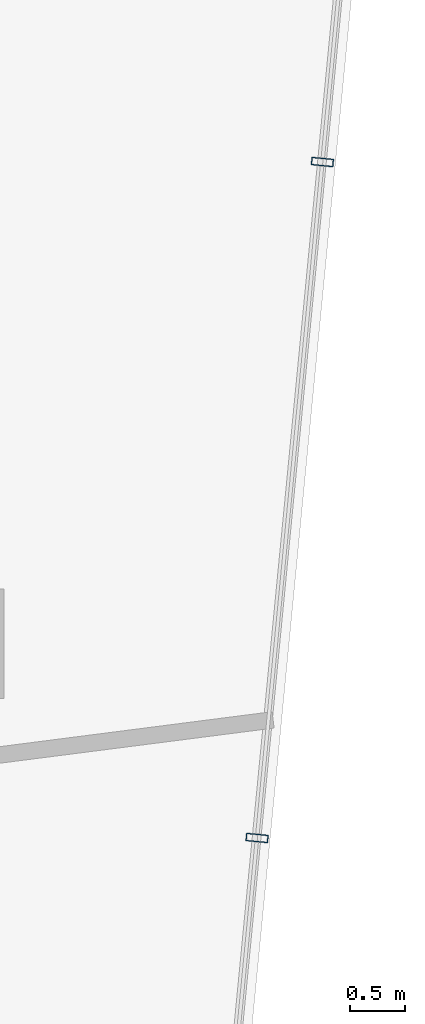
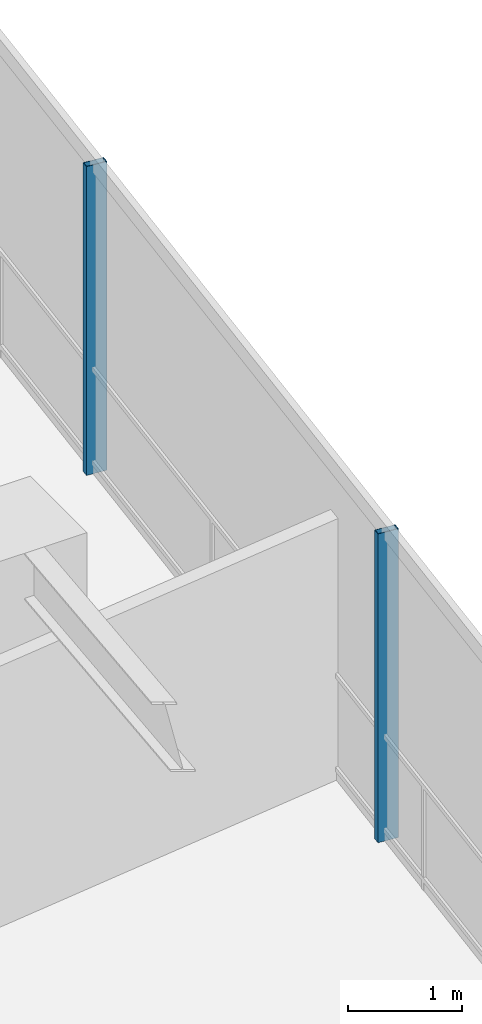
# One storey, part 11 of 21: 2 members, 1 element without a shape of its own.
"""IFC4 building model written with IfcOpenShell, lengths in metres."""

from ifc_helpers import new_model, si_unit, direction, frame, origin, origin_2d, place, context, subcontext, project, spatial, hollow_rectangle, extrude, material, layer, layer_set, material_profile, profile_set, type_object, element, aggregate, save


model = new_model("IFC4")

# Units and contexts
model_context = context("Model", 3, precision=1e-05, world=origin(), true_north=direction((0.0, 1.0)))
body_context = subcontext(model_context, "Body", "Model", "MODEL_VIEW")
ifc_project = project(units=[si_unit("LENGTHUNIT", "METRE"), si_unit("AREAUNIT", "SQUARE_METRE"), si_unit("VOLUMEUNIT", "CUBIC_METRE"), si_unit("PLANEANGLEUNIT", "RADIAN"), si_unit("MASSUNIT", "GRAM", prefix="KILO")], contexts=[model_context])

# Site, building, storey
site_placement = place(None, origin())
site = spatial("IfcSite", under=ifc_project, at=site_placement, CompositionType="ELEMENT")
building_placement = place(site_placement, origin())
building = spatial("IfcBuilding", under=site, at=building_placement, Name="Qarnah Convention Tower", CompositionType="ELEMENT")
storey_placement = place(building_placement, frame((0.0, 0.0, 158.10009765625)))
storey = spatial("IfcBuildingStorey", under=building, at=storey_placement, Name="L42", CompositionType="ELEMENT", Elevation=158.10009765625)

# Curtain wall, members
ifc_material_1 = material(Name="Tempered Low-E dark glass", Category="glass")
ifc_layer = layer(ifc_material_1, 0.172119140625)
ifc_layer_set = layer_set([ifc_layer], Name="Tempered Low-E dark glass")
curtain_wall_type = type_object("IfcCurtainWallType", Name="CWS-03", PredefinedType="NOTDEFINED", material=ifc_layer_set)
curtain_wall_placement = place(storey_placement, origin())
curtain_wall = element("IfcCurtainWall", 1, at=curtain_wall_placement, inside=storey, type_object=curtain_wall_type, Name="L42 unitised curtain wall CW-L42-F3", PredefinedType="NOTDEFINED")
ifc_material_2 = material(Name="Black anodised aluminium", Category="aluminium")
ifc_material_profile = material_profile(ifc_material_2, hollow_rectangle(XDim=0.070068359375, YDim=0.199951171875, WallThickness=0.0048828125, at=origin_2d()), Name="MUL-70X200")
ifc_profile_set = profile_set([ifc_material_profile], Name="Black anodised aluminium")
member_type = type_object("IfcMemberType", Name="MUL-T3", PredefinedType="MULLION", material=ifc_profile_set)
member_1_placement = place(storey_placement, frame((55.1318359375, 33.8798828125, 0.0), z_axis=(0.0, 0.0, 1.0), x_axis=(-0.096239589581, -0.995358197534, 0.0)))
member_1 = element("IfcMember", 2, at=member_1_placement, type_object=member_type, Name="CW-L42-F3 mullion 2", PredefinedType="MULLION", context=body_context, shape_type="SweptSolid", body=[
    extrude(hollow_rectangle(XDim=0.070068359375, YDim=0.199951171875, WallThickness=0.0048828125, at=origin_2d()), origin(), (0.0, 0.0, 1.0), 3.31982421875),
])
member_2_placement = place(storey_placement, frame((54.53564453125, 27.713623046875, 0.0), z_axis=(0.0, 0.0, 1.0), x_axis=(-0.096239589581, -0.995358197534, 0.0)))
member_2 = element("IfcMember", 3, at=member_2_placement, type_object=member_type, Name="CW-L42-F3 mullion 3", PredefinedType="MULLION", context=body_context, shape_type="SweptSolid", body=[
    extrude(hollow_rectangle(XDim=0.070068359375, YDim=0.199951171875, WallThickness=0.0048828125, at=origin_2d()), origin(), (0.0, 0.0, 1.0), 3.31982421875),
])
aggregate(curtain_wall, [member_1, member_2])

save(model, "model.ifc")
